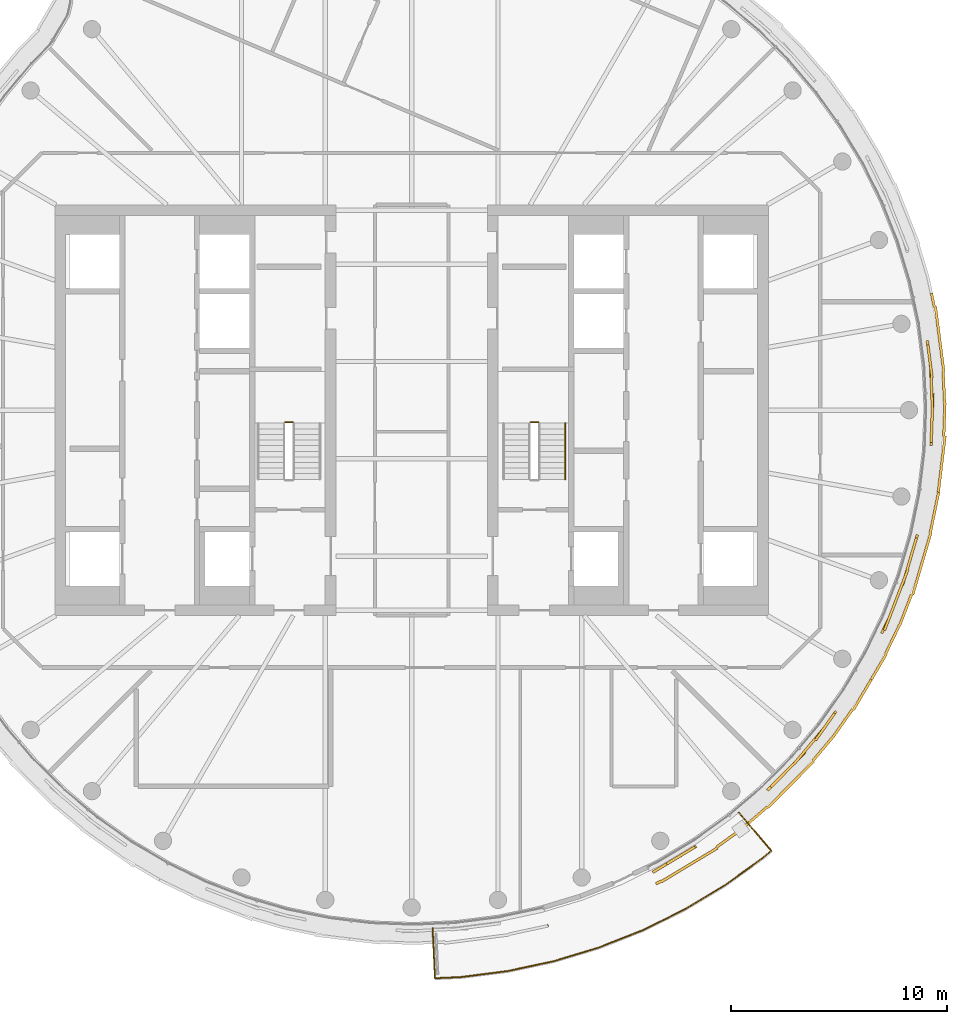
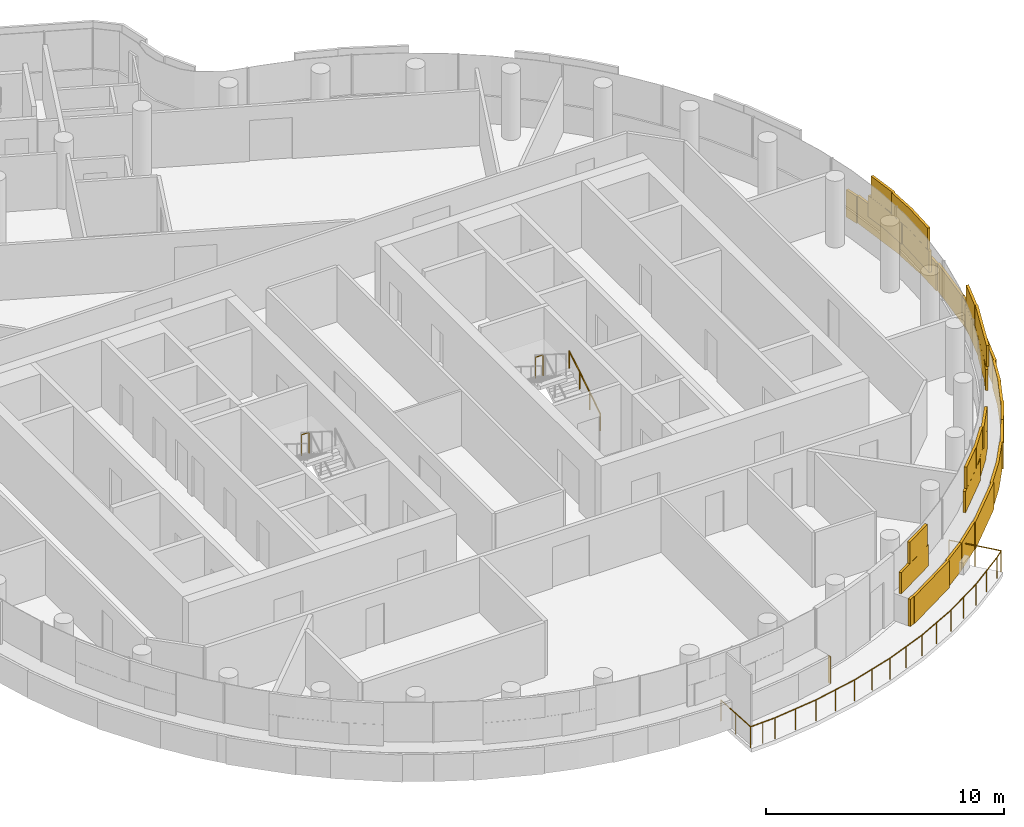
# One storey, part 17 of 20: 4 coverings, 4 railings.
"""IFC4 building model written with IfcOpenShell, lengths in metres."""

from ifc_helpers import new_model, si_unit, direction, frame, origin, origin_2d, place, context, subcontext, project, spatial, rectangle, circle, extrude, material, layer, layer_set, type_object, element, save


model = new_model("IFC4")

# Units and contexts
model_context = context("Model", 3, precision=1e-05, world=origin(), true_north=direction((0.0, 1.0)))
body_context = subcontext(model_context, "Body", "Model", "MODEL_VIEW")
ifc_project = project(units=[si_unit("LENGTHUNIT", "METRE"), si_unit("AREAUNIT", "SQUARE_METRE"), si_unit("VOLUMEUNIT", "CUBIC_METRE"), si_unit("PLANEANGLEUNIT", "RADIAN"), si_unit("MASSUNIT", "GRAM", prefix="KILO")], contexts=[model_context])

# Site, building, storey
site_placement = place(None, origin())
site = spatial("IfcSite", under=ifc_project, at=site_placement, CompositionType="ELEMENT")
building_placement = place(site_placement, origin())
building = spatial("IfcBuilding", under=site, at=building_placement, Name="Tamarind Cross Interchange Tower", CompositionType="ELEMENT")
storey_placement = place(building_placement, frame((0.0, 0.0, 274.800048828125)))
storey = spatial("IfcBuildingStorey", under=building, at=storey_placement, Name="L70", CompositionType="ELEMENT", Elevation=274.800048828125)

# Railings
ifc_material_1 = material(Name="Stainless steel and laminated glass", Category="steel")
railing_type_1 = type_object("IfcRailingType", Name="Balcony guard", PredefinedType="BALUSTRADE", material=ifc_material_1)
railing_1_placement = place(storey_placement, frame((0.97021484375, -23.9560546875, 0.0)))
element("IfcRailing", 1, at=railing_1_placement, inside=storey, type_object=railing_type_1, Name="Balcony guard 01", PredefinedType="BALUSTRADE", context=body_context, shape_type="SweptSolid", body=[
    extrude(circle(Radius=0.02490234375, at=origin_2d()), frame((0.0, 0.0, 1.0751953125), z_axis=(0.045565181947, -0.998961367719, 0.0), x_axis=(0.998961367719, 0.045565181947, 0.0)), (0.0, 0.0, 1.0), 2.320068359375),
    extrude(circle(Radius=0.02490234375, at=origin_2d()), frame((0.105712890625, -2.317626953125, 1.0751953125), z_axis=(0.99896229805, 0.045544780988, 0.0), x_axis=(-0.045544780988, 0.99896229805, 0.0)), (0.0, 0.0, 1.0), 1.21142578125),
    extrude(circle(Radius=0.02490234375, at=origin_2d()), frame((1.31591796875, -2.262451171875, 1.0751953125), z_axis=(0.991779704699, 0.127957091824, 0.0), x_axis=(-0.127957091824, 0.991779704699, 0.0)), (0.0, 0.0, 1.0), 2.175048828125),
    extrude(circle(Radius=0.02490234375, at=origin_2d()), frame((3.47314453125, -1.984130859375, 1.0751953125), z_axis=(0.977822119933, 0.209437106955, 0.0), x_axis=(-0.209437106955, 0.977822119933, 0.0)), (0.0, 0.0, 1.0), 2.17529296875),
    extrude(circle(Radius=0.02490234375, at=origin_2d()), frame((5.60009765625, -1.528564453125, 1.0751953125), z_axis=(0.957187563191, 0.289468424656, 0.0), x_axis=(-0.289468424656, 0.957187563191, 0.0)), (0.0, 0.0, 1.0), 2.175048828125),
    extrude(circle(Radius=0.02490234375, at=origin_2d()), frame((7.68212890625, -0.89892578125, 1.0751953125), z_axis=(0.930047255074, 0.367439931593, 0.0), x_axis=(-0.367439931593, 0.930047255074, 0.0)), (0.0, 0.0, 1.0), 2.17529296875),
    extrude(circle(Radius=0.02490234375, at=origin_2d()), frame((9.705322265625, -0.099609375, 1.0751953125), z_axis=(0.896460627491, 0.443123395184, 0.0), x_axis=(-0.443123395184, 0.896460627491, 0.0)), (0.0, 0.0, 1.0), 2.175048828125),
    extrude(circle(Radius=0.02490234375, at=origin_2d()), frame((11.6552734375, 0.8642578125, 1.0751953125), z_axis=(0.85686835227, 0.515535281894, 0.0), x_axis=(-0.515535281894, 0.85686835227, 0.0)), (0.0, 0.0, 1.0), 2.175048828125),
    extrude(circle(Radius=0.02490234375, at=origin_2d()), frame((13.51904296875, 1.985595703125, 1.0751953125), z_axis=(0.811315026637, 0.584609209261, 0.0), x_axis=(-0.584609209261, 0.811315026637, 0.0)), (0.0, 0.0, 1.0), 2.17529296875),
    extrude(circle(Radius=0.02490234375, at=origin_2d()), frame((15.283935546875, 3.25732421875, 1.0751953125), z_axis=(0.760248873427, 0.6496319346, 0.0), x_axis=(-0.6496319346, 0.760248873427, 0.0)), (0.0, 0.0, 1.0), 0.503173828125),
    extrude(circle(Radius=0.02490234375, at=origin_2d()), frame((15.66650390625, 3.584228515625, 1.0751953125), z_axis=(-0.649585978216, 0.760288140711, 0.0), x_axis=(-0.760288140711, -0.649585978216, 0.0)), (0.0, 0.0, 1.0), 2.320068359375),
    extrude(circle(Radius=0.02001953125, at=origin_2d()), origin(), (0.0, 0.0, 1.0), 1.050048828125),
    extrude(circle(Radius=0.02001953125, at=origin_2d()), frame((0.052734375, -1.15869140625, 0.0)), (0.0, 0.0, 1.0), 1.050048828125),
    extrude(circle(Radius=0.02001953125, at=origin_2d()), frame((0.105712890625, -2.317626953125, 0.0)), (0.0, 0.0, 1.0), 1.050048828125),
    extrude(circle(Radius=0.02001953125, at=origin_2d()), frame((0.7109375, -2.2900390625, 0.0)), (0.0, 0.0, 1.0), 1.050048828125),
    extrude(circle(Radius=0.02001953125, at=origin_2d()), frame((1.31591796875, -2.262451171875, 0.0)), (0.0, 0.0, 1.0), 1.050048828125),
    extrude(circle(Radius=0.02001953125, at=origin_2d()), frame((2.39453125, -2.123291015625, 0.0)), (0.0, 0.0, 1.0), 1.050048828125),
    extrude(circle(Radius=0.02001953125, at=origin_2d()), frame((3.47314453125, -1.984130859375, 0.0)), (0.0, 0.0, 1.0), 1.050048828125),
    extrude(circle(Radius=0.02001953125, at=origin_2d()), frame((4.53662109375, -1.75634765625, 0.0)), (0.0, 0.0, 1.0), 1.050048828125),
    extrude(circle(Radius=0.02001953125, at=origin_2d()), frame((5.60009765625, -1.528564453125, 0.0)), (0.0, 0.0, 1.0), 1.050048828125),
    extrude(circle(Radius=0.02001953125, at=origin_2d()), frame((6.64111328125, -1.2138671875, 0.0)), (0.0, 0.0, 1.0), 1.050048828125),
    extrude(circle(Radius=0.02001953125, at=origin_2d()), frame((7.68212890625, -0.89892578125, 0.0)), (0.0, 0.0, 1.0), 1.050048828125),
    extrude(circle(Radius=0.02001953125, at=origin_2d()), frame((8.69384765625, -0.499267578125, 0.0)), (0.0, 0.0, 1.0), 1.050048828125),
    extrude(circle(Radius=0.02001953125, at=origin_2d()), frame((9.705322265625, -0.099609375, 0.0)), (0.0, 0.0, 1.0), 1.050048828125),
    extrude(circle(Radius=0.02001953125, at=origin_2d()), frame((10.68017578125, 0.38232421875, 0.0)), (0.0, 0.0, 1.0), 1.050048828125),
    extrude(circle(Radius=0.02001953125, at=origin_2d()), frame((11.6552734375, 0.8642578125, 0.0)), (0.0, 0.0, 1.0), 1.050048828125),
    extrude(circle(Radius=0.02001953125, at=origin_2d()), frame((12.587158203125, 1.4248046875, 0.0)), (0.0, 0.0, 1.0), 1.050048828125),
    extrude(circle(Radius=0.02001953125, at=origin_2d()), frame((13.51904296875, 1.985595703125, 0.0)), (0.0, 0.0, 1.0), 1.050048828125),
    extrude(circle(Radius=0.02001953125, at=origin_2d()), frame((14.4013671875, 2.62158203125, 0.0)), (0.0, 0.0, 1.0), 1.050048828125),
    extrude(circle(Radius=0.02001953125, at=origin_2d()), frame((15.283935546875, 3.25732421875, 0.0)), (0.0, 0.0, 1.0), 1.050048828125),
    extrude(circle(Radius=0.02001953125, at=origin_2d()), frame((15.66650390625, 3.584228515625, 0.0)), (0.0, 0.0, 1.0), 1.050048828125),
    extrude(circle(Radius=0.02001953125, at=origin_2d()), frame((14.9130859375, 4.46630859375, 0.0)), (0.0, 0.0, 1.0), 1.050048828125),
    extrude(circle(Radius=0.02001953125, at=origin_2d()), frame((14.159423828125, 5.34814453125, 0.0)), (0.0, 0.0, 1.0), 1.050048828125),
])
ifc_material_2 = material(Name="Stair guard")
railing_type_2 = type_object("IfcRailingType", Name="Stair guard", PredefinedType="GUARDRAIL", material=ifc_material_2)
for number, where, name in (
    (2, (-5.5, -0.550048828125, 1.800048828125), "L70 ST1 stair guard 2"),
    (3, (5.85009765625, -0.550048828125, 1.800048828125), "L70 ST2 stair guard 2"),
):
    element("IfcRailing", number, at=place(storey_placement, frame(where)), inside=storey, type_object=railing_type_2, Name=name, PredefinedType="GUARDRAIL", context=body_context, shape_type="SweptSolid", body=[
        extrude(circle(Radius=0.02392578125, at=origin_2d()), frame((0.0, 0.0, 1.076171875), z_axis=(-1.0, 0.0, 0.0), x_axis=(0.0, -1.0, 0.0)), (0.0, 0.0, 1.0), 0.35009765625),
        extrude(circle(Radius=0.02099609375, at=origin_2d()), origin(), (0.0, 0.0, 1.0), 1.052001953125),
        extrude(circle(Radius=0.02099609375, at=origin_2d()), frame((-0.35009765625, 0.0, 0.0)), (0.0, 0.0, 1.0), 1.052001953125),
    ])
ifc_material_3 = material(Name="Stair handrail")
railing_type_3 = type_object("IfcRailingType", Name="Stair handrail", PredefinedType="HANDRAIL", material=ifc_material_3)
railing_2_placement = place(storey_placement, frame((7.10009765625, -3.199951171875, 0.16357421875)))
element("IfcRailing", 4, at=railing_2_placement, inside=storey, type_object=railing_type_3, Name="L70 ST2 stair handrail 1", PredefinedType="HANDRAIL", context=body_context, shape_type="SweptSolid", body=[
    extrude(circle(Radius=0.02392578125, at=origin_2d()), frame((0.0, 0.0, 0.8759765625), z_axis=(0.0, 0.846301844409, 0.532703658848), x_axis=(-1.0, 0.0, 0.0)), (0.0, 0.0, 1.0), 3.072021484375),
    extrude(circle(Radius=0.02099609375, at=origin_2d()), origin(), (0.0, 0.0, 1.0), 0.851806640625),
    extrude(circle(Radius=0.02099609375, at=origin_2d()), frame((0.0, 0.86669921875, 0.54541015625)), (0.0, 0.0, 1.0), 0.851806640625),
    extrude(circle(Radius=0.02099609375, at=origin_2d()), frame((0.0, 1.733154296875, 1.091064453125)), (0.0, 0.0, 1.0), 0.851806640625),
    extrude(circle(Radius=0.02099609375, at=origin_2d()), frame((0.0, 2.599853515625, 1.636474609375)), (0.0, 0.0, 1.0), 0.851806640625),
])

# Coverings
ifc_material_4 = material(Name="Terracotta", Category="masonry")
ifc_layer = layer(ifc_material_4, 0.1201171875)
ifc_layer_set = layer_set([ifc_layer], Name="Terracotta")
covering_type = type_object("IfcCoveringType", Name="Terracotta baguette screen unit", PredefinedType="MOLDING", material=ifc_layer_set)
covering_1_placement = place(storey_placement, origin())
element("IfcCovering", 5, at=covering_1_placement, inside=storey, type_object=covering_type, Name="SCR-L70-01-08", PredefinedType="MOLDING", context=body_context, shape_type="SweptSolid", body=[
    extrude(rectangle(XDim=1.52001953125, YDim=0.1201171875, at=origin_2d()), frame((11.8037109375, -20.983642578125, 1.40380859375), z_axis=(0.0, 0.0, 1.0), x_axis=(0.856843065292, 0.515577308909, 0.0)), (0.0, 0.0, 1.0), 1.092041015625),
    extrude(rectangle(XDim=0.83837890625, YDim=0.1201171875, at=origin_2d()), frame((12.80126953125, -20.383544921875, 1.40380859375), z_axis=(0.0, 0.0, 1.0), x_axis=(0.856843065292, 0.515577308909, 0.0)), (0.0, 0.0, 1.0), 1.092041015625),
    extrude(rectangle(XDim=1.52001953125, YDim=0.1201171875, at=origin_2d()), frame((12.4462890625, -20.596923828125, 2.50390625), z_axis=(0.0, 0.0, 1.0), x_axis=(0.856843065292, 0.515577308909, 0.0)), (0.0, 0.0, 1.0), 1.092041015625),
    extrude(rectangle(XDim=0.03076171875, YDim=0.1201171875, at=origin_2d()), frame((6.309326171875, -23.83349609375, 0.00390625), z_axis=(0.0, 0.0, 1.0), x_axis=(0.957190642199, 0.289458243079, 0.0)), (0.0, 0.0, 1.0), 1.39208984375),
    extrude(rectangle(XDim=0.296630859375, YDim=0.1201171875, at=origin_2d()), frame((11.428466796875, -21.836181640625, 0.00390625), z_axis=(0.0, 0.0, 1.0), x_axis=(0.896492548518, 0.443058811505, 0.0)), (0.0, 0.0, 1.0), 1.39208984375),
    extrude(rectangle(XDim=1.52001953125, YDim=0.1201171875, at=origin_2d()), frame((12.20751953125, -21.41064453125, 0.00390625), z_axis=(0.0, 0.0, 1.0), x_axis=(0.856843065292, 0.515577308909, 0.0)), (0.0, 0.0, 1.0), 1.39208984375),
    extrude(rectangle(XDim=1.52001953125, YDim=0.1201171875, at=origin_2d()), frame((13.492919921875, -20.63720703125, 0.00390625), z_axis=(0.0, 0.0, 1.0), x_axis=(0.856843065292, 0.515577308909, 0.0)), (0.0, 0.0, 1.0), 1.39208984375),
    extrude(rectangle(XDim=1.383544921875, YDim=0.1201171875, at=origin_2d()), frame((14.658935546875, -19.80712890625, 0.00390625), z_axis=(0.0, 0.0, 1.0), x_axis=(0.811340475102, 0.584573890505, 0.0)), (0.0, 0.0, 1.0), 1.39208984375),
])
covering_2_placement = place(storey_placement, origin())
element("IfcCovering", 6, at=covering_2_placement, inside=storey, type_object=covering_type, Name="SCR-L70-01-09", PredefinedType="MOLDING", context=body_context, shape_type="SweptSolid", body=[
    extrude(rectangle(XDim=0.9814453125, YDim=0.1201171875, at=origin_2d()), frame((16.79931640625, -17.236572265625, 1.40380859375), z_axis=(0.0, 0.0, 1.0), x_axis=(0.704057148523, 0.710143317658, 0.0)), (0.0, 0.0, 1.0), 1.092041015625),
    extrude(rectangle(XDim=1.52001953125, YDim=0.1201171875, at=origin_2d()), frame((17.66943359375, -16.35888671875, 1.40380859375), z_axis=(0.0, 0.0, 1.0), x_axis=(0.704057148523, 0.710143317658, 0.0)), (0.0, 0.0, 1.0), 1.092041015625),
    extrude(rectangle(XDim=1.52001953125, YDim=0.1201171875, at=origin_2d()), frame((18.64453125, -15.2197265625, 1.40380859375), z_axis=(0.0, 0.0, 1.0), x_axis=(0.643009266048, 0.765858396687, 0.0)), (0.0, 0.0, 1.0), 1.092041015625),
    extrude(rectangle(XDim=0.88134765625, YDim=0.1201171875, at=origin_2d()), frame((19.37255859375, -14.285400390625, 1.40380859375), z_axis=(0.0, 0.0, 1.0), x_axis=(0.577568978284, 0.816341886298, 0.0)), (0.0, 0.0, 1.0), 1.092041015625),
    extrude(rectangle(XDim=1.52001953125, YDim=0.1201171875, at=origin_2d()), frame((17.141357421875, -16.8916015625, 2.50390625), z_axis=(0.0, 0.0, 1.0), x_axis=(0.704057148523, 0.710143317658, 0.0)), (0.0, 0.0, 1.0), 1.092041015625),
    extrude(rectangle(XDim=1.52001953125, YDim=0.1201171875, at=origin_2d()), frame((18.162109375, -15.794189453125, 2.50390625), z_axis=(0.0, 0.0, 1.0), x_axis=(0.643009266048, 0.765858396687, 0.0)), (0.0, 0.0, 1.0), 1.092041015625),
    extrude(rectangle(XDim=1.52001953125, YDim=0.1201171875, at=origin_2d()), frame((19.12109375, -14.64111328125, 2.50390625), z_axis=(0.0, 0.0, 1.0), x_axis=(0.577568978284, 0.816341886298, 0.0)), (0.0, 0.0, 1.0), 1.092041015625),
    extrude(rectangle(XDim=0.136474609375, YDim=0.1201171875, at=origin_2d()), frame((15.272705078125, -19.359130859375, 0.00390625), z_axis=(0.0, 0.0, 1.0), x_axis=(0.760295606781, 0.64957723968, 0.0)), (0.0, 0.0, 1.0), 1.39208984375),
    extrude(rectangle(XDim=1.52001953125, YDim=0.1201171875, at=origin_2d()), frame((15.88720703125, -18.834228515625, 0.00390625), z_axis=(0.0, 0.0, 1.0), x_axis=(0.760295606781, 0.64957723968, 0.0)), (0.0, 0.0, 1.0), 1.39208984375),
    extrude(rectangle(XDim=1.52001953125, YDim=0.1201171875, at=origin_2d()), frame((17.00927734375, -17.840087890625, 0.00390625), z_axis=(0.0, 0.0, 1.0), x_axis=(0.704057148523, 0.710143317658, 0.0)), (0.0, 0.0, 1.0), 1.39208984375),
    extrude(rectangle(XDim=1.52001953125, YDim=0.1201171875, at=origin_2d()), frame((18.0654296875, -16.77490234375, 0.00390625), z_axis=(0.0, 0.0, 1.0), x_axis=(0.704057148523, 0.710143317658, 0.0)), (0.0, 0.0, 1.0), 1.39208984375),
    extrude(rectangle(XDim=1.52001953125, YDim=0.1201171875, at=origin_2d()), frame((19.04296875, -15.637939453125, 0.00390625), z_axis=(0.0, 0.0, 1.0), x_axis=(0.643009266048, 0.765858396687, 0.0)), (0.0, 0.0, 1.0), 1.39208984375),
    extrude(rectangle(XDim=1.52001953125, YDim=0.1201171875, at=origin_2d()), frame((19.958251953125, -14.451171875, 0.00390625), z_axis=(0.0, 0.0, 1.0), x_axis=(0.577568978284, 0.816341886298, 0.0)), (0.0, 0.0, 1.0), 1.39208984375),
    extrude(rectangle(XDim=1.52001953125, YDim=0.1201171875, at=origin_2d()), frame((20.81005859375, -13.21728515625, 0.00390625), z_axis=(0.0, 0.0, 1.0), x_axis=(0.508183308752, 0.861248933065, 0.0)), (0.0, 0.0, 1.0), 1.39208984375),
    extrude(rectangle(XDim=0.141845703125, YDim=0.1201171875, at=origin_2d()), frame((21.22216796875, -12.518798828125, 0.00390625), z_axis=(0.0, 0.0, 1.0), x_axis=(0.508183308752, 0.861248933065, 0.0)), (0.0, 0.0, 1.0), 1.39208984375),
])
covering_3_placement = place(storey_placement, origin())
element("IfcCovering", 7, at=covering_3_placement, inside=storey, type_object=covering_type, Name="SCR-L70-01-10", PredefinedType="MOLDING", context=body_context, shape_type="SweptSolid", body=[
    extrude(rectangle(XDim=0.938720703125, YDim=0.1201171875, at=origin_2d()), frame((21.946533203125, -9.894775390625, 1.40380859375), z_axis=(0.0, 0.0, 1.0), x_axis=(0.435326231914, 0.900272776334, 0.0)), (0.0, 0.0, 1.0), 1.092041015625),
    extrude(rectangle(XDim=1.52001953125, YDim=0.1201171875, at=origin_2d()), frame((22.40966796875, -8.773193359375, 1.40380859375), z_axis=(0.0, 0.0, 1.0), x_axis=(0.359495435512, 0.933146843667, 0.0)), (0.0, 0.0, 1.0), 1.092041015625),
    extrude(rectangle(XDim=1.52001953125, YDim=0.1201171875, at=origin_2d()), frame((22.919677734375, -7.363525390625, 1.40380859375), z_axis=(0.0, 0.0, 1.0), x_axis=(0.281208920763, 0.95964657186, 0.0)), (0.0, 0.0, 1.0), 1.092041015625),
    extrude(rectangle(XDim=0.924072265625, YDim=0.1201171875, at=origin_2d()), frame((23.259033203125, -6.205322265625, 1.40380859375), z_axis=(0.0, 0.0, 1.0), x_axis=(0.281208920763, 0.95964657186, 0.0)), (0.0, 0.0, 1.0), 1.092041015625),
    extrude(rectangle(XDim=1.52001953125, YDim=0.1201171875, at=origin_2d()), frame((22.14013671875, -9.47314453125, 2.50390625), z_axis=(0.0, 0.0, 1.0), x_axis=(0.359495435512, 0.933146843667, 0.0)), (0.0, 0.0, 1.0), 1.092041015625),
    extrude(rectangle(XDim=1.52001953125, YDim=0.1201171875, at=origin_2d()), frame((22.67919921875, -8.0732421875, 2.50390625), z_axis=(0.0, 0.0, 1.0), x_axis=(0.359495435512, 0.933146843667, 0.0)), (0.0, 0.0, 1.0), 1.092041015625),
    extrude(rectangle(XDim=1.52001953125, YDim=0.1201171875, at=origin_2d()), frame((23.130615234375, -6.643798828125, 2.50390625), z_axis=(0.0, 0.0, 1.0), x_axis=(0.281208920763, 0.95964657186, 0.0)), (0.0, 0.0, 1.0), 1.092041015625),
    extrude(rectangle(XDim=1.378173828125, YDim=0.1201171875, at=origin_2d()), frame((21.6083984375, -11.8642578125, 0.00390625), z_axis=(0.0, 0.0, 1.0), x_axis=(0.508183308752, 0.861248933065, 0.0)), (0.0, 0.0, 1.0), 1.39208984375),
    extrude(rectangle(XDim=1.52001953125, YDim=0.1201171875, at=origin_2d()), frame((22.249267578125, -10.587646484375, 0.00390625), z_axis=(0.0, 0.0, 1.0), x_axis=(0.435326231914, 0.900272776334, 0.0)), (0.0, 0.0, 1.0), 1.39208984375),
    extrude(rectangle(XDim=1.52001953125, YDim=0.1201171875, at=origin_2d()), frame((22.85400390625, -9.216552734375, 0.00390625), z_axis=(0.0, 0.0, 1.0), x_axis=(0.359495435512, 0.933146843667, 0.0)), (0.0, 0.0, 1.0), 1.39208984375),
    extrude(rectangle(XDim=1.52001953125, YDim=0.1201171875, at=origin_2d()), frame((23.3857421875, -7.814208984375, 0.00390625), z_axis=(0.0, 0.0, 1.0), x_axis=(0.281208920763, 0.95964657186, 0.0)), (0.0, 0.0, 1.0), 1.39208984375),
    extrude(rectangle(XDim=1.52001953125, YDim=0.1201171875, at=origin_2d()), frame((23.8076171875, -6.374755859375, 0.00390625), z_axis=(0.0, 0.0, 1.0), x_axis=(0.281208920763, 0.95964657186, 0.0)), (0.0, 0.0, 1.0), 1.39208984375),
    extrude(rectangle(XDim=1.52001953125, YDim=0.1201171875, at=origin_2d()), frame((24.14453125, -4.9140625, 0.00390625), z_axis=(0.0, 0.0, 1.0), x_axis=(0.201001463943, 0.9795909409, 0.0)), (0.0, 0.0, 1.0), 1.39208984375),
    extrude(rectangle(XDim=0.400390625, YDim=0.1201171875, at=origin_2d()), frame((24.33349609375, -3.9931640625, 0.00390625), z_axis=(0.0, 0.0, 1.0), x_axis=(0.201001463943, 0.9795909409, 0.0)), (0.0, 0.0, 1.0), 1.39208984375),
])
covering_4_placement = place(storey_placement, origin())
element("IfcCovering", 8, at=covering_4_placement, inside=storey, type_object=covering_type, Name="SCR-L70-01-11", PredefinedType="MOLDING", context=body_context, shape_type="SweptSolid", body=[
    extrude(rectangle(XDim=0.89599609375, YDim=0.1201171875, at=origin_2d()), frame((24.038330078125, -1.17724609375, 1.40380859375), z_axis=(0.0, 0.0, 1.0), x_axis=(0.037024696392, 0.999314350871, 0.0)), (0.0, 0.0, 1.0), 1.092041015625),
    extrude(rectangle(XDim=1.52001953125, YDim=0.1201171875, at=origin_2d()), frame((24.08251953125, 0.01513671875, 1.40380859375), z_axis=(0.0, 0.0, 1.0), x_axis=(0.037024696392, 0.999314350871, 0.0)), (0.0, 0.0, 1.0), 1.092041015625),
    extrude(rectangle(XDim=1.52001953125, YDim=0.1201171875, at=origin_2d()), frame((24.021484375, 1.513427734375, 1.40380859375), z_axis=(0.0, 0.0, 1.0), x_axis=(-0.045624486728, 0.998958660912, 0.0)), (0.0, 0.0, 1.0), 1.092041015625),
    extrude(rectangle(XDim=0.96728515625, YDim=0.1201171875, at=origin_2d()), frame((23.911865234375, 2.736083984375, 1.40380859375), z_axis=(0.0, 0.0, 1.0), x_axis=(-0.127962008342, 0.991779070368, 0.0)), (0.0, 0.0, 1.0), 1.092041015625),
    extrude(rectangle(XDim=1.52001953125, YDim=0.1201171875, at=origin_2d()), frame((24.0546875, -0.734375, 2.50390625), z_axis=(0.0, 0.0, 1.0), x_axis=(0.037024696392, 0.999314350871, 0.0)), (0.0, 0.0, 1.0), 1.092041015625),
    extrude(rectangle(XDim=1.52001953125, YDim=0.1201171875, at=origin_2d()), frame((24.0556640625, 0.76416015625, 2.50390625), z_axis=(0.0, 0.0, 1.0), x_axis=(-0.045624486728, 0.998958660912, 0.0)), (0.0, 0.0, 1.0), 1.092041015625),
    extrude(rectangle(XDim=1.52001953125, YDim=0.1201171875, at=origin_2d()), frame((23.97314453125, 2.261474609375, 2.50390625), z_axis=(0.0, 0.0, 1.0), x_axis=(-0.127962008342, 0.991779070368, 0.0)), (0.0, 0.0, 1.0), 1.092041015625),
    extrude(rectangle(XDim=1.11962890625, YDim=0.1201171875, at=origin_2d()), frame((24.427490234375, -3.239013671875, 0.00390625), z_axis=(0.0, 0.0, 1.0), x_axis=(0.119420963295, 0.992843710523, 0.0)), (0.0, 0.0, 1.0), 1.39208984375),
    extrude(rectangle(XDim=1.52001953125, YDim=0.1201171875, at=origin_2d()), frame((24.582763671875, -1.948486328125, 0.00390625), z_axis=(0.0, 0.0, 1.0), x_axis=(0.119420963295, 0.992843710523, 0.0)), (0.0, 0.0, 1.0), 1.39208984375),
    extrude(rectangle(XDim=1.52001953125, YDim=0.1201171875, at=origin_2d()), frame((24.6396484375, -0.44970703125, 0.00390625), z_axis=(0.0, 0.0, 1.0), x_axis=(0.037024696392, 0.999314350871, 0.0)), (0.0, 0.0, 1.0), 1.39208984375),
    extrude(rectangle(XDim=1.52001953125, YDim=0.1201171875, at=origin_2d()), frame((24.6171875, 1.048828125, 0.00390625), z_axis=(0.0, 0.0, 1.0), x_axis=(-0.045624486728, 0.998958660912, 0.0)), (0.0, 0.0, 1.0), 1.39208984375),
    extrude(rectangle(XDim=1.52001953125, YDim=0.1201171875, at=origin_2d()), frame((24.515380859375, 2.54443359375, 0.00390625), z_axis=(0.0, 0.0, 1.0), x_axis=(-0.127962008342, 0.991779070368, 0.0)), (0.0, 0.0, 1.0), 1.39208984375),
    extrude(rectangle(XDim=1.52001953125, YDim=0.1201171875, at=origin_2d()), frame((24.323486328125, 4.031982421875, 0.00390625), z_axis=(0.0, 0.0, 1.0), x_axis=(-0.127962008342, 0.991779070368, 0.0)), (0.0, 0.0, 1.0), 1.39208984375),
    extrude(rectangle(XDim=0.6591796875, YDim=0.1201171875, at=origin_2d()), frame((24.1103515625, 5.079833984375, 0.00390625), z_axis=(0.0, 0.0, 1.0), x_axis=(-0.209425419705, 0.977824623121, 0.0)), (0.0, 0.0, 1.0), 1.39208984375),
])

save(model, "model.ifc")
